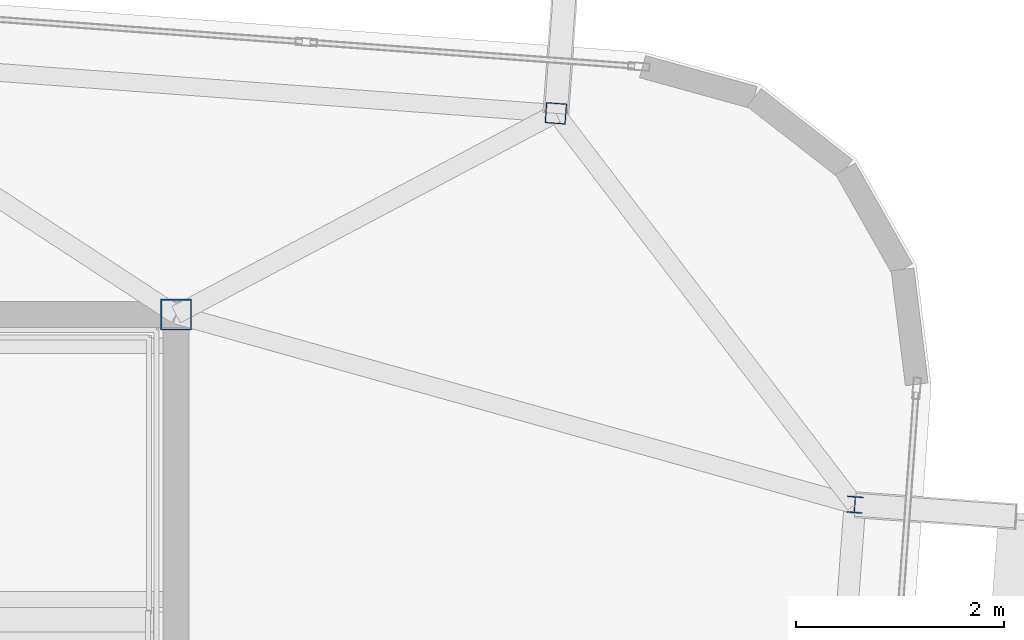
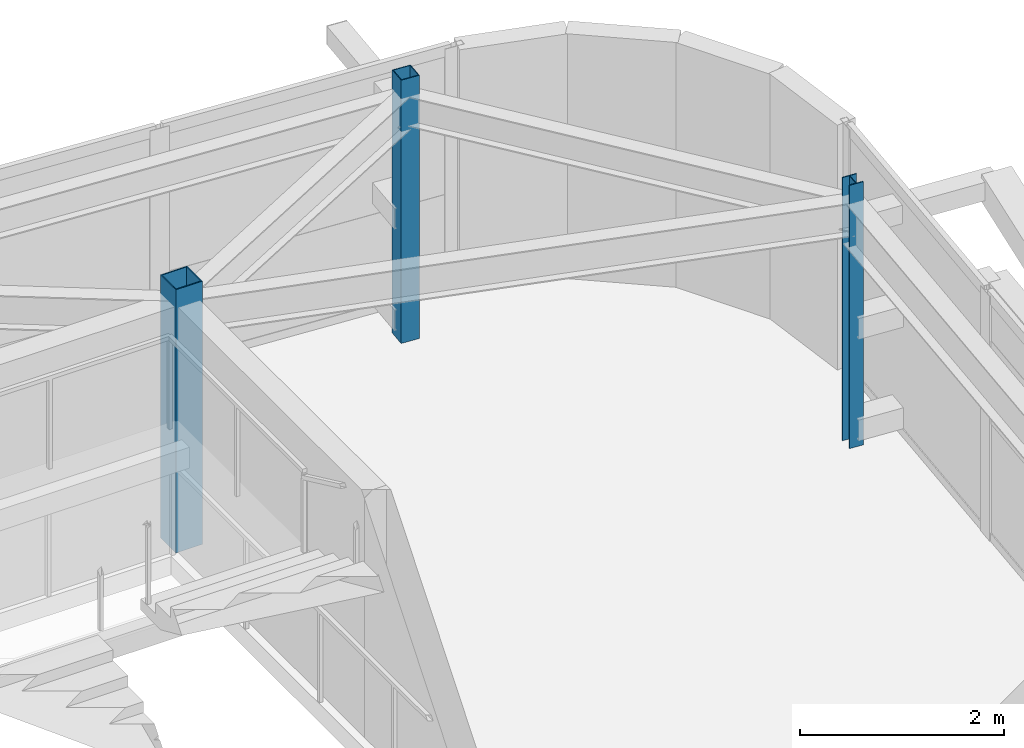
# One storey, part 6 of 42: 3 columns.
"""IFC4 building model written with IfcOpenShell, lengths in metres."""

from ifc_helpers import new_model, si_unit, direction, frame, origin, origin_2d, place, context, subcontext, project, spatial, hollow_rectangle, i_section, extrude, source, transform, mapped, material, material_profile, profile_set, type_object, element, save


model = new_model("IFC4")

# Units and contexts
model_context = context("Model", 3, precision=1e-05, world=origin(), true_north=direction((0.0, 1.0)))
body_context = subcontext(model_context, "Body", "Model", "MODEL_VIEW")
ifc_project = project(units=[si_unit("LENGTHUNIT", "METRE"), si_unit("AREAUNIT", "SQUARE_METRE"), si_unit("VOLUMEUNIT", "CUBIC_METRE"), si_unit("PLANEANGLEUNIT", "RADIAN"), si_unit("MASSUNIT", "GRAM", prefix="KILO")], contexts=[model_context])

# Site, building, storey
site_placement = place(None, origin())
site = spatial("IfcSite", under=ifc_project, at=site_placement, CompositionType="ELEMENT")
building_placement = place(site_placement, origin())
building = spatial("IfcBuilding", under=site, at=building_placement, Name="Taldren Reach Tower", CompositionType="ELEMENT")
storey_placement = place(building_placement, frame((0.0, 0.0, 214.550048828125)))
storey = spatial("IfcBuildingStorey", under=building, at=storey_placement, Name="L65", CompositionType="ELEMENT", Elevation=214.550048828125)

# Columns
ifc_material_1 = material(Name="Steel Gr 450 (C450L0)", Category="steel")
ifc_material_profile_1 = material_profile(ifc_material_1, hollow_rectangle(XDim=0.300048828125, YDim=0.300048828125, WallThickness=0.012451171875, at=origin_2d()), Name="300x300x12.5SHS")
ifc_profile_set_1 = profile_set([ifc_material_profile_1], Name="Steel Gr 450 (C450L0)")
column_type_1 = type_object("IfcColumnType", Name="COL-SHS300", PredefinedType="COLUMN", material=ifc_profile_set_1)
shared_shape_1 = source(origin(), body_context, "Body", "SweptSolid", [
    extrude(hollow_rectangle(XDim=0.300048828125, YDim=0.300048828125, WallThickness=0.012451171875, at=origin_2d()), origin(), (0.0, 0.0, 1.0), 3.14990234375),
])
column_1_placement = place(storey_placement, frame((51.0, 32.0, 0.0), z_axis=(0.0, 0.0, 1.0), x_axis=(1.0, 0.0, 0.0)))
element("IfcColumn", 1, at=column_1_placement, inside=storey, type_object=column_type_1, Name="Mega column MC-C8 L65", PredefinedType="COLUMN", context=body_context, shape_type="MappedRepresentation", body=[
    mapped(shared_shape_1, transform((0.0, 0.0, 0.0), scale=1.0)),
])
ifc_material_2 = material(Name="Steel Gr 350 (C350L0)", Category="steel")
ifc_material_profile_2 = material_profile(ifc_material_2, hollow_rectangle(XDim=0.199951171875, YDim=0.199951171875, WallThickness=0.009033203125, at=origin_2d()), Name="200x200x9.0SHS")
ifc_profile_set_2 = profile_set([ifc_material_profile_2], Name="Steel Gr 350 (C350L0)")
column_type_2 = type_object("IfcColumnType", Name="COL-SHS200", PredefinedType="COLUMN", material=ifc_profile_set_2)
shared_shape_2 = source(origin(), body_context, "Body", "SweptSolid", [
    extrude(hollow_rectangle(XDim=0.199951171875, YDim=0.199951171875, WallThickness=0.009033203125, at=origin_2d()), origin(), (0.0, 0.0, 1.0), 3.14990234375),
])
column_2_placement = place(storey_placement, frame((54.659423828125, 33.939697265625, 0.0), z_axis=(0.0, 0.0, 1.0), x_axis=(0.997314477224, -0.073238197128, 0.0)))
element("IfcColumn", 2, at=column_2_placement, inside=storey, type_object=column_type_2, Name="Block B5 perimeter column N6 L65", PredefinedType="COLUMN", context=body_context, shape_type="MappedRepresentation", body=[
    mapped(shared_shape_2, transform((0.0, 0.0, 0.0), scale=1.0)),
])
ifc_material_3 = material(Name="Steel Gr 350 (350PLUS)", Category="steel")
ifc_material_profile_3 = material_profile(ifc_material_3, i_section(OverallWidth=0.154052734375, OverallDepth=0.162109375, WebThickness=0.008056640625, FlangeThickness=0.011474609375, at=origin_2d()), Name="150UC37.2")
ifc_profile_set_3 = profile_set([ifc_material_profile_3], Name="Steel Gr 350 (350PLUS)")
column_type_3 = type_object("IfcColumnType", Name="COL-UC150", PredefinedType="COLUMN", material=ifc_profile_set_3)
shared_shape_3 = source(origin(), body_context, "Body", "SweptSolid", [
    extrude(i_section(OverallWidth=0.154052734375, OverallDepth=0.162109375, WebThickness=0.008056640625, FlangeThickness=0.011474609375, at=origin_2d()), origin(), (0.0, 0.0, 1.0), 3.14990234375),
])
column_3_placement = place(storey_placement, frame((57.540771484375, 30.168701171875, 0.0), z_axis=(0.0, 0.0, 1.0), x_axis=(0.997314477224, -0.073238197128, 0.0)))
element("IfcColumn", 3, at=column_3_placement, inside=storey, type_object=column_type_3, Name="Block B5 perimeter column E3 L65", PredefinedType="COLUMN", context=body_context, shape_type="MappedRepresentation", body=[
    mapped(shared_shape_3, transform((0.0, 0.0, 0.0), scale=1.0)),
])

save(model, "model.ifc")
